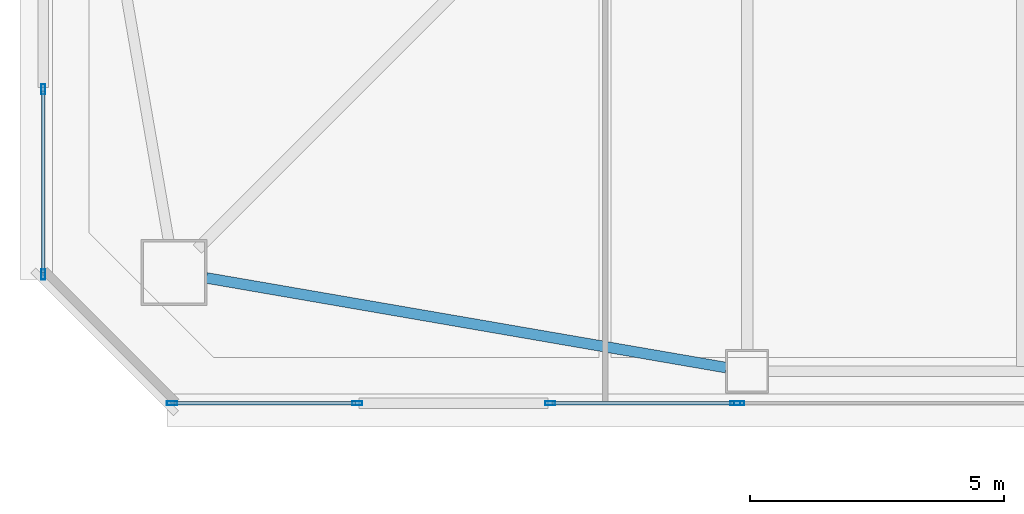
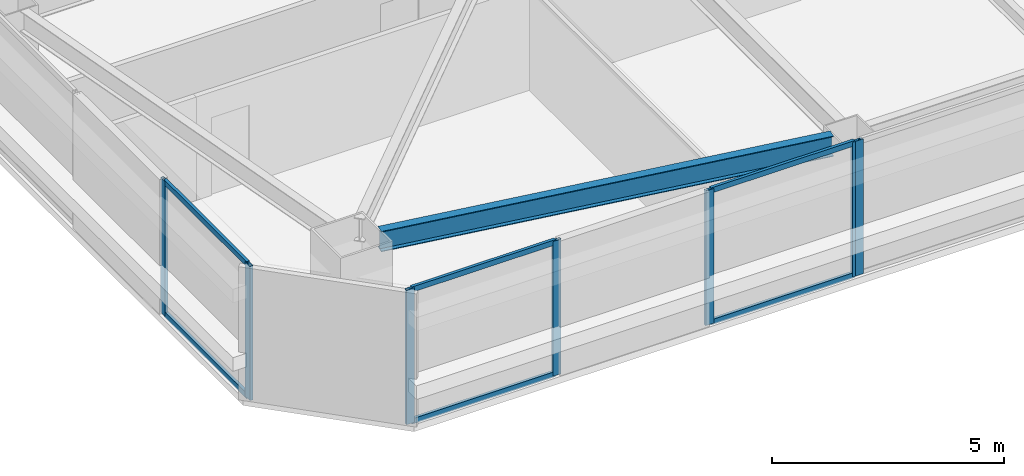
# One storey, part 3 of 46: 13 members, 1 beam, 4 elements without a shape of their own.
"""IFC4 building model written with IfcOpenShell, lengths in metres."""

from ifc_helpers import new_model, si_unit, direction, frame, origin, origin_2d, place, context, subcontext, project, spatial, hollow_rectangle, i_section, extrude, material, material_profile, profile_set, type_object, element, aggregate, save


model = new_model("IFC4")

# Units and contexts
model_context = context("Model", 3, precision=1e-05, world=origin(), true_north=direction((0.0, 1.0)))
body_context = subcontext(model_context, "Body", "Model", "MODEL_VIEW")
ifc_project = project(units=[si_unit("LENGTHUNIT", "METRE"), si_unit("AREAUNIT", "SQUARE_METRE"), si_unit("VOLUMEUNIT", "CUBIC_METRE"), si_unit("PLANEANGLEUNIT", "RADIAN"), si_unit("MASSUNIT", "GRAM", prefix="KILO")], contexts=[model_context])

# Site, building, storey
site_placement = place(None, origin())
site = spatial("IfcSite", under=ifc_project, at=site_placement, CompositionType="ELEMENT")
building_placement = place(site_placement, origin())
building = spatial("IfcBuilding", under=site, at=building_placement, Name="Tashvorn Skyway Center", CompositionType="ELEMENT")
storey_placement = place(building_placement, frame((0.0, 0.0, 139.25)))
storey = spatial("IfcBuildingStorey", under=building, at=storey_placement, Name="L37", CompositionType="ELEMENT", Elevation=139.25)

# Beam
ifc_material_1 = material(Name="Steel ASTM A992 Grade 50", Category="steel")
ifc_material_profile_1 = material_profile(ifc_material_1, i_section(OverallWidth=0.2109375, OverallDepth=0.5390625, WebThickness=0.01171875, FlangeThickness=0.018798828125, at=origin_2d()), Name="W21X73")
ifc_profile_set_1 = profile_set([ifc_material_profile_1], Name="Steel ASTM A992 Grade 50")
beam_type = type_object("IfcBeamType", Name="BM-SPANDREL-W21X73", PredefinedType="SPANDREL", material=ifc_profile_set_1)
beam_placement = place(storey_placement, frame((25.935546875, 15.1904296875, 3.1005859375), z_axis=(0.985432458462, -0.170067250846, 0.0), x_axis=(0.170067250846, 0.985432458462, 0.0)))
element("IfcBeam", 1, at=beam_placement, inside=storey, type_object=beam_type, Name="Tower 1 L37 Spandrel Beam 01", PredefinedType="SPANDREL", context=body_context, shape_type="SweptSolid", body=[
    extrude(i_section(OverallWidth=0.2109375, OverallDepth=0.5390625, WebThickness=0.01171875, FlangeThickness=0.018798828125, at=origin_2d()), origin(), (0.0, 0.0, 1.0), 10.402099609375),
])

# Curtain wall, member
ifc_material_2 = material(Name="Thermally broken bronze-anodized aluminium 6063-T6", Category="aluminium")
curtain_wall_type = type_object("IfcCurtainWallType", Name="CW-CW-Z3", PredefinedType="NOTDEFINED", material=ifc_material_2)
curtain_wall_1_placement = place(storey_placement, origin())
curtain_wall_1 = element("IfcCurtainWall", 2, at=curtain_wall_1_placement, inside=storey, type_object=curtain_wall_type, Name="Tower 1 L37 South Unitised Curtain Wall Glazing Group 3", PredefinedType="NOTDEFINED")
ifc_material_profile_2 = material_profile(ifc_material_2, hollow_rectangle(XDim=0.074951171875, YDim=0.199951171875, WallThickness=0.00439453125, at=origin_2d()), Name="ALU-MULL-75x200")
ifc_profile_set_2 = profile_set([ifc_material_profile_2], Name="Thermally broken bronze-anodized aluminium 6063-T6")
member_type_1 = type_object("IfcMemberType", Name="CWM-CW-Z3", PredefinedType="MULLION", material=ifc_profile_set_2)
member_1_placement = place(storey_placement, frame((36.444091796875, 12.719970703125, 0.0), z_axis=(0.0, 0.0, 1.0), x_axis=(0.0, -1.0, 0.0)))
member_1 = element("IfcMember", 3, at=member_1_placement, type_object=member_type_1, Name="CW-Z3 mullion 2", PredefinedType="MULLION", context=body_context, shape_type="SweptSolid", body=[
    extrude(hollow_rectangle(XDim=0.074951171875, YDim=0.199951171875, WallThickness=0.00439453125, at=origin_2d()), origin(), (0.0, 0.0, 1.0), 3.550048828125),
])
aggregate(curtain_wall_1, [member_1])

# Curtain wall, members
curtain_wall_2_placement = place(storey_placement, origin())
curtain_wall_2 = element("IfcCurtainWall", 4, at=curtain_wall_2_placement, inside=storey, type_object=curtain_wall_type, Name="Tower 1 L37 South Unitised Curtain Wall Glazing Group 4", PredefinedType="NOTDEFINED")
member_2_placement = place(storey_placement, frame((36.369140625, 12.719970703125, 0.0), z_axis=(0.0, 0.0, 1.0), x_axis=(0.0, -1.0, 0.0)))
member_2 = element("IfcMember", 5, at=member_2_placement, type_object=member_type_1, Name="CW-Z3 mullion 1", PredefinedType="MULLION", context=body_context, shape_type="SweptSolid", body=[
    extrude(hollow_rectangle(XDim=0.074951171875, YDim=0.199951171875, WallThickness=0.00439453125, at=origin_2d()), origin(), (0.0, 0.0, 1.0), 3.550048828125),
])
member_3_placement = place(storey_placement, frame((32.71533203125, 12.719970703125, 0.0), z_axis=(0.0, 0.0, 1.0), x_axis=(0.0, -1.0, 0.0)))
member_3 = element("IfcMember", 6, at=member_3_placement, type_object=member_type_1, Name="CW-Z3 mullion 2", PredefinedType="MULLION", context=body_context, shape_type="SweptSolid", body=[
    extrude(hollow_rectangle(XDim=0.074951171875, YDim=0.199951171875, WallThickness=0.00439453125, at=origin_2d()), origin(), (0.0, 0.0, 1.0), 3.550048828125),
])

curtain_wall_3_placement = place(storey_placement, origin())
curtain_wall_3 = element("IfcCurtainWall", 7, at=curtain_wall_3_placement, inside=storey, type_object=curtain_wall_type, Name="Tower 1 L37 South Unitised Curtain Wall Glazing Group 5", PredefinedType="NOTDEFINED")
member_4_placement = place(storey_placement, frame((28.911376953125, 12.719970703125, 0.0), z_axis=(0.0, 0.0, 1.0), x_axis=(0.0, -1.0, 0.0)))
member_4 = element("IfcMember", 8, at=member_4_placement, type_object=member_type_1, Name="CW-Z3 mullion 1", PredefinedType="MULLION", context=body_context, shape_type="SweptSolid", body=[
    extrude(hollow_rectangle(XDim=0.074951171875, YDim=0.199951171875, WallThickness=0.00439453125, at=origin_2d()), origin(), (0.0, 0.0, 1.0), 3.550048828125),
])
member_5_placement = place(storey_placement, frame((25.257568359375, 12.719970703125, 0.0), z_axis=(0.0, 0.0, 1.0), x_axis=(0.0, -1.0, 0.0)))
member_5 = element("IfcMember", 9, at=member_5_placement, type_object=member_type_1, Name="CW-Z3 mullion 2", PredefinedType="MULLION", context=body_context, shape_type="SweptSolid", body=[
    extrude(hollow_rectangle(XDim=0.074951171875, YDim=0.199951171875, WallThickness=0.00439453125, at=origin_2d()), origin(), (0.0, 0.0, 1.0), 3.550048828125),
])

curtain_wall_4_placement = place(storey_placement, origin())
curtain_wall_4 = element("IfcCurtainWall", 10, at=curtain_wall_4_placement, inside=storey, type_object=curtain_wall_type, Name="Tower 1 L37 West Unitised Curtain Wall Glazing Group 1", PredefinedType="NOTDEFINED")
member_6_placement = place(storey_placement, frame((22.719970703125, 15.257568359375, 0.0), z_axis=(0.0, 0.0, 1.0), x_axis=(-1.0, 0.0, 0.0)))
member_6 = element("IfcMember", 11, at=member_6_placement, type_object=member_type_1, Name="CW-Z3 mullion 1", PredefinedType="MULLION", context=body_context, shape_type="SweptSolid", body=[
    extrude(hollow_rectangle(XDim=0.074951171875, YDim=0.199951171875, WallThickness=0.00439453125, at=origin_2d()), origin(), (0.0, 0.0, 1.0), 3.550048828125),
])
member_7_placement = place(storey_placement, frame((22.719970703125, 18.911376953125, 0.0), z_axis=(0.0, 0.0, 1.0), x_axis=(-1.0, 0.0, 0.0)))
member_7 = element("IfcMember", 12, at=member_7_placement, type_object=member_type_1, Name="CW-Z3 mullion 2", PredefinedType="MULLION", context=body_context, shape_type="SweptSolid", body=[
    extrude(hollow_rectangle(XDim=0.074951171875, YDim=0.199951171875, WallThickness=0.00439453125, at=origin_2d()), origin(), (0.0, 0.0, 1.0), 3.550048828125),
])

# Member
ifc_material_profile_3 = material_profile(ifc_material_2, hollow_rectangle(XDim=0.074951171875, YDim=0.139892578125, WallThickness=0.004150390625, at=origin_2d()), Name="ALU-TRAN-75x140")
ifc_profile_set_3 = profile_set([ifc_material_profile_3], Name="Thermally broken bronze-anodized aluminium 6063-T6")
member_type_2 = type_object("IfcMemberType", Name="CWT-CW-Z3", PredefinedType="USERDEFINED", material=ifc_profile_set_3)
member_8_placement = place(storey_placement, frame((36.331787109375, 12.719970703125, 0.03759765625), z_axis=(-1.0, 0.0, 0.0), x_axis=(0.0, -1.0, 0.0)))
member_8 = element("IfcMember", 13, at=member_8_placement, type_object=member_type_2, Name="CW-Z3 transom 1.1", ObjectType="TRANSOM", PredefinedType="USERDEFINED", context=body_context, shape_type="SweptSolid", body=[
    extrude(hollow_rectangle(XDim=0.074951171875, YDim=0.139892578125, WallThickness=0.004150390625, at=origin_2d()), origin(), (0.0, 0.0, 1.0), 3.5791015625),
])

member_9_placement = place(storey_placement, frame((36.331787109375, 12.719970703125, 3.512451171875), z_axis=(-1.0, 0.0, 0.0), x_axis=(0.0, -1.0, 0.0)))
member_9 = element("IfcMember", 14, at=member_9_placement, type_object=member_type_2, Name="CW-Z3 transom 1.2", ObjectType="TRANSOM", PredefinedType="USERDEFINED", context=body_context, shape_type="SweptSolid", body=[
    extrude(hollow_rectangle(XDim=0.074951171875, YDim=0.139892578125, WallThickness=0.004150390625, at=origin_2d()), origin(), (0.0, 0.0, 1.0), 3.5791015625),
])

aggregate(curtain_wall_2, [member_2, member_3, member_8, member_9])

member_10_placement = place(storey_placement, frame((28.873779296875, 12.719970703125, 0.03759765625), z_axis=(-1.0, 0.0, 0.0), x_axis=(0.0, -1.0, 0.0)))
member_10 = element("IfcMember", 15, at=member_10_placement, type_object=member_type_2, Name="CW-Z3 transom 1.1", ObjectType="TRANSOM", PredefinedType="USERDEFINED", context=body_context, shape_type="SweptSolid", body=[
    extrude(hollow_rectangle(XDim=0.074951171875, YDim=0.139892578125, WallThickness=0.004150390625, at=origin_2d()), origin(), (0.0, 0.0, 1.0), 3.578857421875),
])

member_11_placement = place(storey_placement, frame((28.873779296875, 12.719970703125, 3.512451171875), z_axis=(-1.0, 0.0, 0.0), x_axis=(0.0, -1.0, 0.0)))
member_11 = element("IfcMember", 16, at=member_11_placement, type_object=member_type_2, Name="CW-Z3 transom 1.2", ObjectType="TRANSOM", PredefinedType="USERDEFINED", context=body_context, shape_type="SweptSolid", body=[
    extrude(hollow_rectangle(XDim=0.074951171875, YDim=0.139892578125, WallThickness=0.004150390625, at=origin_2d()), origin(), (0.0, 0.0, 1.0), 3.578857421875),
])

aggregate(curtain_wall_3, [member_4, member_5, member_10, member_11])

member_12_placement = place(storey_placement, frame((22.719970703125, 15.294921875, 0.03759765625), z_axis=(0.0, 1.0, 0.0), x_axis=(-1.0, 0.0, 0.0)))
member_12 = element("IfcMember", 17, at=member_12_placement, type_object=member_type_2, Name="CW-Z3 transom 1.1", ObjectType="TRANSOM", PredefinedType="USERDEFINED", context=body_context, shape_type="SweptSolid", body=[
    extrude(hollow_rectangle(XDim=0.074951171875, YDim=0.139892578125, WallThickness=0.004150390625, at=origin_2d()), origin(), (0.0, 0.0, 1.0), 3.578857421875),
])

member_13_placement = place(storey_placement, frame((22.719970703125, 15.294921875, 3.512451171875), z_axis=(0.0, 1.0, 0.0), x_axis=(-1.0, 0.0, 0.0)))
member_13 = element("IfcMember", 18, at=member_13_placement, type_object=member_type_2, Name="CW-Z3 transom 1.2", ObjectType="TRANSOM", PredefinedType="USERDEFINED", context=body_context, shape_type="SweptSolid", body=[
    extrude(hollow_rectangle(XDim=0.074951171875, YDim=0.139892578125, WallThickness=0.004150390625, at=origin_2d()), origin(), (0.0, 0.0, 1.0), 3.578857421875),
])

aggregate(curtain_wall_4, [member_6, member_7, member_12, member_13])

save(model, "model.ifc")
